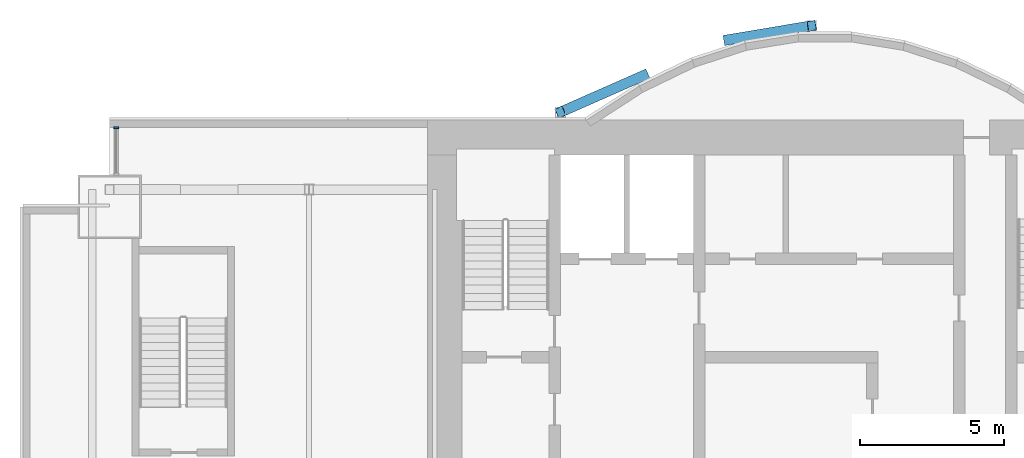
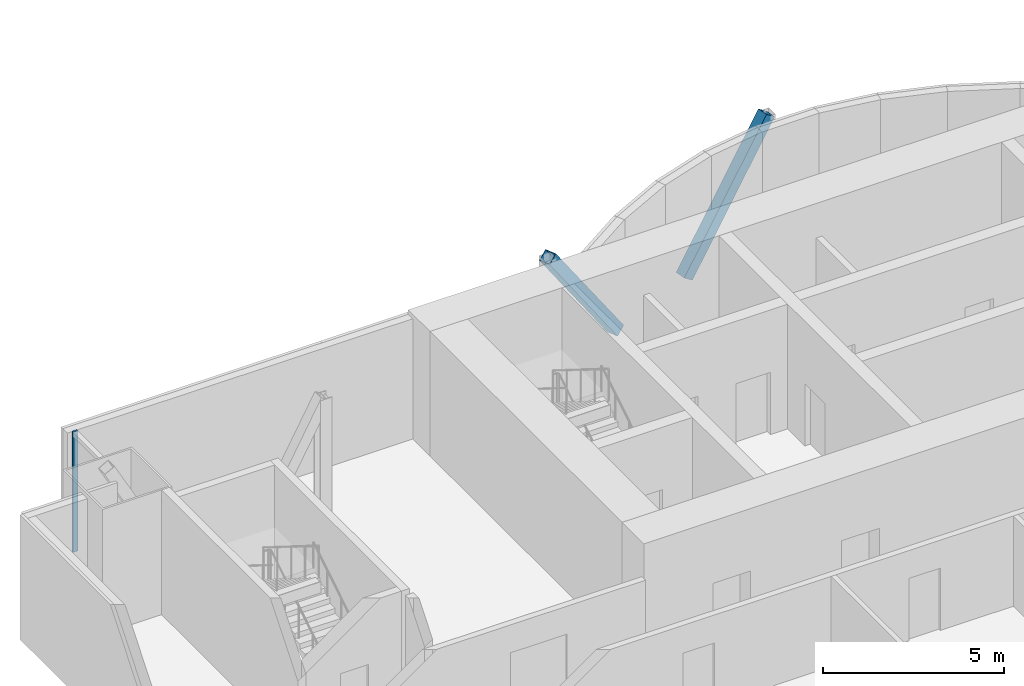
# One storey, part 10 of 20: 3 members, 1 element without a shape of its own.
"""IFC4 building model written with IfcOpenShell, lengths in metres."""

from ifc_helpers import new_model, si_unit, direction, frame, origin, origin_2d, place, context, subcontext, project, spatial, rectangle, hollow_rectangle, extrude, material, material_profile, profile_set, type_object, element, aggregate, save


model = new_model("IFC4")

# Units and contexts
model_context = context("Model", 3, precision=1e-05, world=origin(), true_north=direction((0.0, 1.0)))
body_context = subcontext(model_context, "Body", "Model", "MODEL_VIEW")
ifc_project = project(units=[si_unit("LENGTHUNIT", "METRE"), si_unit("AREAUNIT", "SQUARE_METRE"), si_unit("VOLUMEUNIT", "CUBIC_METRE"), si_unit("PLANEANGLEUNIT", "RADIAN"), si_unit("MASSUNIT", "GRAM", prefix="KILO")], contexts=[model_context])

# Site, building, storey
site_placement = place(None, origin())
site = spatial("IfcSite", under=ifc_project, at=site_placement, CompositionType="ELEMENT")
building_placement = place(site_placement, origin())
building = spatial("IfcBuilding", under=site, at=building_placement, Name="Bicima Exchange Tower", CompositionType="ELEMENT")
storey_placement = place(building_placement, frame((0.0, 0.0, 249.800048828125)))
storey = spatial("IfcBuildingStorey", under=building, at=storey_placement, Name="L56", CompositionType="ELEMENT", Elevation=249.800048828125)

# Curtain wall, member
ifc_material_1 = material(Name="Anodised bronze aluminium", Category="aluminium")
curtain_wall_type = type_object("IfcCurtainWallType", Name="Front glass wall", PredefinedType="NOTDEFINED", material=ifc_material_1)
curtain_wall_placement = place(storey_placement, origin())
curtain_wall = element("IfcCurtainWall", 1, at=curtain_wall_placement, inside=storey, type_object=curtain_wall_type, Name="Front glass wall L56 run 1", PredefinedType="NOTDEFINED")
ifc_material_profile_1 = material_profile(ifc_material_1, rectangle(XDim=0.159912109375, YDim=0.06005859375, at=origin_2d()))
ifc_profile_set_1 = profile_set([ifc_material_profile_1], Name="Anodised bronze aluminium")
member_type_1 = type_object("IfcMemberType", Name="Front glass wall mullion 60 x 160", PredefinedType="MULLION", material=ifc_profile_set_1)
member_1_placement = place(storey_placement, frame((-32.77001953125, -0.260009765625, 0.0), z_axis=(0.0, 0.0, 1.0), x_axis=(1.0, 0.0, 0.0)))
member_1 = element("IfcMember", 2, at=member_1_placement, type_object=member_type_1, Name="Front glass wall mullion 1", PredefinedType="MULLION", context=body_context, shape_type="SweptSolid", body=[
    extrude(rectangle(XDim=0.159912109375, YDim=0.06005859375, at=origin_2d()), origin(), (0.0, 0.0, 1.0), 4.050048828125),
])
aggregate(curtain_wall, [member_1])

# Members
ifc_material_2 = material(Name="Steel ASTM A572 Gr 50", Category="steel")
ifc_material_profile_2 = material_profile(ifc_material_2, hollow_rectangle(XDim=0.355712890625, YDim=0.355712890625, WallThickness=0.0146484375, at=origin_2d()))
ifc_profile_set_2 = profile_set([ifc_material_profile_2], Name="Steel ASTM A572 Gr 50")
member_type_2 = type_object("IfcMemberType", Name="Mega brace HSS14x14x5/8", PredefinedType="BRACE", material=ifc_profile_set_2)
member_2_placement = place(storey_placement, frame((-11.60009765625, 2.783203125, 0.0), z_axis=(0.56565772011, 0.094760406012, 0.819177519914), x_axis=(-0.165220206918, 0.9862567025, 0.0)))
element("IfcMember", 3, at=member_2_placement, inside=storey, type_object=member_type_2, Name="Mega brace rexo", PredefinedType="BRACE", context=body_context, shape_type="SweptSolid", body=[
    extrude(hollow_rectangle(XDim=0.355712890625, YDim=0.355712890625, WallThickness=0.0146484375, at=origin_2d()), origin(), (0.0, 0.0, 1.0), 5.126953125),
])
member_3_placement = place(storey_placement, frame((-14.5, 1.55615234375, 0.0), z_axis=(-0.55116382042, -0.242914850977, 0.798254857946), x_axis=(0.403298774981, -0.915068357063, 0.0)))
element("IfcMember", 4, at=member_3_placement, inside=storey, type_object=member_type_2, Name="Mega brace rexo", PredefinedType="BRACE", context=body_context, shape_type="SweptSolid", body=[
    extrude(hollow_rectangle(XDim=0.355712890625, YDim=0.355712890625, WallThickness=0.0146484375, at=origin_2d()), origin(), (0.0, 0.0, 1.0), 5.261474609375),
])

save(model, "model.ifc")
